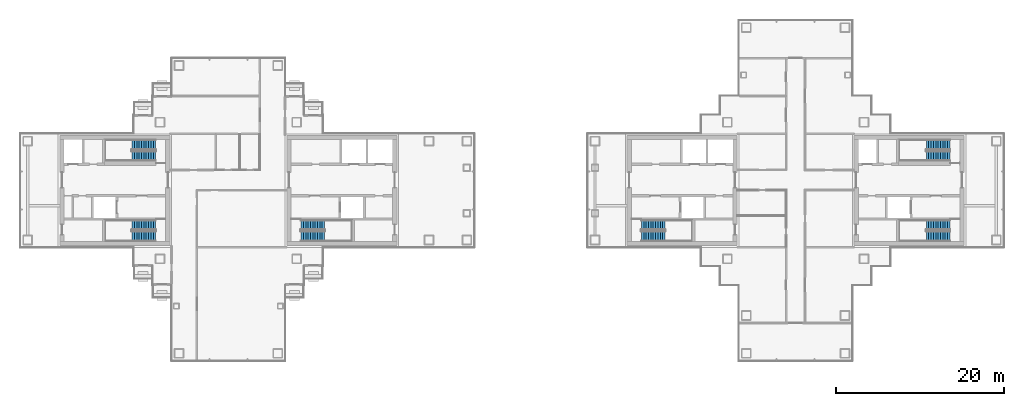
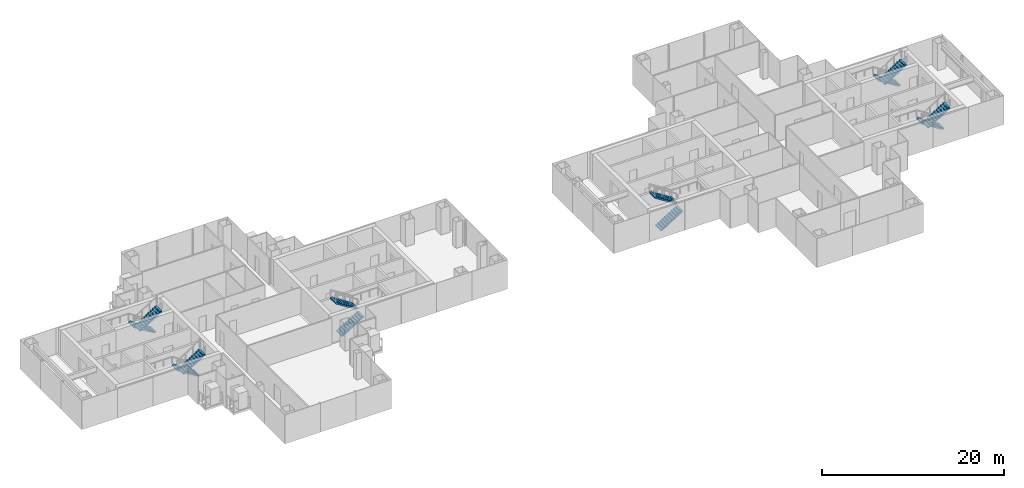
# One storey, part 13 of 16: 12 stair flights, 6 elements without a shape of their own.
"""IFC4 building model written with IfcOpenShell, lengths in metres."""

from ifc_helpers import new_model, si_unit, direction, frame, origin, place, context, subcontext, project, spatial, polyline, outline, extrude, material, type_object, element, aggregate, save


model = new_model("IFC4")

# Units and contexts
model_context = context("Model", 3, precision=1e-05, world=origin(), true_north=direction((0.0, 1.0)))
body_context = subcontext(model_context, "Body", "Model", "MODEL_VIEW")
ifc_project = project(units=[si_unit("LENGTHUNIT", "METRE"), si_unit("AREAUNIT", "SQUARE_METRE"), si_unit("VOLUMEUNIT", "CUBIC_METRE"), si_unit("PLANEANGLEUNIT", "RADIAN"), si_unit("MASSUNIT", "GRAM", prefix="KILO")], contexts=[model_context])

# Site, building, storey
site_placement = place(None, origin())
site = spatial("IfcSite", under=ifc_project, at=site_placement, CompositionType="ELEMENT")
building_placement = place(site_placement, origin())
building = spatial("IfcBuilding", under=site, at=building_placement, Name="Shamsa Quay Exchange Towers", CompositionType="ELEMENT")
storey_placement = place(building_placement, frame((0.0, 0.0, 158.39990234375)))
storey = spatial("IfcBuildingStorey", under=building, at=storey_placement, Name="L37", CompositionType="ELEMENT", Elevation=158.39990234375)

# Stair, stair flights
ifc_material = material(Name="Concrete C40/50", Category="concrete")
stair_type = type_object("IfcStairType", Name="EXIT STAIR 22 RISERS 177 MM", PredefinedType="HALF_TURN_STAIR", material=ifc_material)
stair_1_placement = place(storey_placement, origin())
stair_1 = element("IfcStair", 1, at=stair_1_placement, inside=storey, type_object=stair_type, Name="L37 Exit stair ST1", PredefinedType="HALF_TURN_STAIR")
stair_flight_type = type_object("IfcStairFlightType", Name="EXIT STAIR FLIGHT 11 RISERS 177 MM", PredefinedType="STRAIGHT", material=ifc_material)
stair_flight_1_placement = place(storey_placement, frame((-25.10009765625, -5.449951171875, 0.0)))
stair_flight_1 = element("IfcStairFlight", 2, at=stair_flight_1_placement, type_object=stair_flight_type, Name="ST1 flight 1", NumberOfRisers=11, NumberOfTreads=10, PredefinedType="STRAIGHT", RiserHeight=0.177272727, TreadLength=0.28, context=body_context, shape_type="SweptSolid", body=[
    extrude(outline(polyline([(0.0, 0.0), (0.0, 0.17724609375), (0.280029296875, 0.17724609375), (0.280029296875, 0.3544921875), (0.56005859375, 0.3544921875), (0.56005859375, 0.53173828125), (0.840087890625, 0.53173828125), (0.840087890625, 0.708984375), (1.1201171875, 0.708984375), (1.1201171875, 0.886474609375), (1.39990234375, 0.886474609375), (1.39990234375, 1.063720703125), (1.679931640625, 1.063720703125), (1.679931640625, 1.240966796875), (1.9599609375, 1.240966796875), (1.9599609375, 1.418212890625), (2.239990234375, 1.418212890625), (2.239990234375, 1.595458984375), (2.52001953125, 1.595458984375), (2.52001953125, 1.772705078125), (2.800048828125, 1.772705078125), (2.800048828125, 1.949951171875), (2.800048828125, 1.607177734375), (0.261474609375, 0.0), (0.0, 0.0)])), frame((0.0, 0.60009765625, 0.0), z_axis=(0.0, -1.0, 0.0), x_axis=(1.0, 0.0, 0.0)), (0.0, 0.0, 1.0), 1.199951171875),
])
stair_flight_2_placement = place(storey_placement, frame((-22.300048828125, -4.10009765625, 1.9501953125), z_axis=(0.0, 0.0, 1.0), x_axis=(-1.0, 0.0, 0.0)))
stair_flight_2 = element("IfcStairFlight", 3, at=stair_flight_2_placement, type_object=stair_flight_type, Name="ST1 flight 2", NumberOfRisers=11, NumberOfTreads=10, PredefinedType="STRAIGHT", RiserHeight=0.177272727, TreadLength=0.28, context=body_context, shape_type="SweptSolid", body=[
    extrude(outline(polyline([(0.0, 0.0), (0.0, 0.17724609375), (0.280029296875, 0.17724609375), (0.280029296875, 0.3544921875), (0.56005859375, 0.3544921875), (0.56005859375, 0.53173828125), (0.840087890625, 0.53173828125), (0.840087890625, 0.708984375), (1.1201171875, 0.708984375), (1.1201171875, 0.886474609375), (1.39990234375, 0.886474609375), (1.39990234375, 1.063720703125), (1.679931640625, 1.063720703125), (1.679931640625, 1.240966796875), (1.9599609375, 1.240966796875), (1.9599609375, 1.418212890625), (2.239990234375, 1.418212890625), (2.239990234375, 1.595458984375), (2.52001953125, 1.595458984375), (2.52001953125, 1.772705078125), (2.800048828125, 1.772705078125), (2.800048828125, 1.949951171875), (2.800048828125, 1.607177734375), (0.261474609375, 0.0), (0.0, 0.0)])), frame((0.0, 0.60009765625, 0.0), z_axis=(0.0, -1.0, 0.0), x_axis=(1.0, 0.0, 0.0)), (0.0, 0.0, 1.0), 1.199951171875),
])
aggregate(stair_1, [stair_flight_1, stair_flight_2])

stair_2_placement = place(storey_placement, origin())
stair_2 = element("IfcStair", 4, at=stair_2_placement, inside=storey, type_object=stair_type, Name="L37 Exit stair ST2", PredefinedType="HALF_TURN_STAIR")
stair_flight_3_placement = place(storey_placement, frame((-42.39990234375, -4.10009765625, 0.0), z_axis=(0.0, 0.0, 1.0), x_axis=(-1.0, 0.0, 0.0)))
stair_flight_3 = element("IfcStairFlight", 5, at=stair_flight_3_placement, type_object=stair_flight_type, Name="ST2 flight 1", NumberOfRisers=11, NumberOfTreads=10, PredefinedType="STRAIGHT", RiserHeight=0.177272727, TreadLength=0.28, context=body_context, shape_type="SweptSolid", body=[
    extrude(outline(polyline([(0.0, 0.0), (0.0, 0.17724609375), (0.280029296875, 0.17724609375), (0.280029296875, 0.3544921875), (0.56005859375, 0.3544921875), (0.56005859375, 0.53173828125), (0.840087890625, 0.53173828125), (0.840087890625, 0.708984375), (1.1201171875, 0.708984375), (1.1201171875, 0.886474609375), (1.39990234375, 0.886474609375), (1.39990234375, 1.063720703125), (1.679931640625, 1.063720703125), (1.679931640625, 1.240966796875), (1.9599609375, 1.240966796875), (1.9599609375, 1.418212890625), (2.239990234375, 1.418212890625), (2.239990234375, 1.595458984375), (2.52001953125, 1.595458984375), (2.52001953125, 1.772705078125), (2.800048828125, 1.772705078125), (2.800048828125, 1.949951171875), (2.800048828125, 1.607177734375), (0.261474609375, 0.0), (0.0, 0.0)])), frame((0.0, 0.60009765625, 0.0), z_axis=(0.0, -1.0, 0.0), x_axis=(1.0, 0.0, 0.0)), (0.0, 0.0, 1.0), 1.199951171875),
])
stair_flight_4_placement = place(storey_placement, frame((-45.199951171875, -5.449951171875, 1.9501953125)))
stair_flight_4 = element("IfcStairFlight", 6, at=stair_flight_4_placement, type_object=stair_flight_type, Name="ST2 flight 2", NumberOfRisers=11, NumberOfTreads=10, PredefinedType="STRAIGHT", RiserHeight=0.177272727, TreadLength=0.28, context=body_context, shape_type="SweptSolid", body=[
    extrude(outline(polyline([(0.0, 0.0), (0.0, 0.17724609375), (0.280029296875, 0.17724609375), (0.280029296875, 0.3544921875), (0.56005859375, 0.3544921875), (0.56005859375, 0.53173828125), (0.840087890625, 0.53173828125), (0.840087890625, 0.708984375), (1.1201171875, 0.708984375), (1.1201171875, 0.886474609375), (1.39990234375, 0.886474609375), (1.39990234375, 1.063720703125), (1.679931640625, 1.063720703125), (1.679931640625, 1.240966796875), (1.9599609375, 1.240966796875), (1.9599609375, 1.418212890625), (2.239990234375, 1.418212890625), (2.239990234375, 1.595458984375), (2.52001953125, 1.595458984375), (2.52001953125, 1.772705078125), (2.800048828125, 1.772705078125), (2.800048828125, 1.949951171875), (2.800048828125, 1.607177734375), (0.261474609375, 0.0), (0.0, 0.0)])), frame((0.0, 0.60009765625, 0.0), z_axis=(0.0, -1.0, 0.0), x_axis=(1.0, 0.0, 0.0)), (0.0, 0.0, 1.0), 1.199951171875),
])
aggregate(stair_2, [stair_flight_3, stair_flight_4])

stair_3_placement = place(storey_placement, origin())
stair_3 = element("IfcStair", 7, at=stair_3_placement, inside=storey, type_object=stair_type, Name="L37 Exit stair ST3", PredefinedType="HALF_TURN_STAIR")
stair_flight_5_placement = place(storey_placement, frame((-42.39990234375, 5.449951171875, 0.0), z_axis=(0.0, 0.0, 1.0), x_axis=(-1.0, 0.0, 0.0)))
stair_flight_5 = element("IfcStairFlight", 8, at=stair_flight_5_placement, type_object=stair_flight_type, Name="ST3 flight 1", NumberOfRisers=11, NumberOfTreads=10, PredefinedType="STRAIGHT", RiserHeight=0.177272727, TreadLength=0.28, context=body_context, shape_type="SweptSolid", body=[
    extrude(outline(polyline([(0.0, 0.0), (0.0, 0.17724609375), (0.280029296875, 0.17724609375), (0.280029296875, 0.3544921875), (0.56005859375, 0.3544921875), (0.56005859375, 0.53173828125), (0.840087890625, 0.53173828125), (0.840087890625, 0.708984375), (1.1201171875, 0.708984375), (1.1201171875, 0.886474609375), (1.39990234375, 0.886474609375), (1.39990234375, 1.063720703125), (1.679931640625, 1.063720703125), (1.679931640625, 1.240966796875), (1.9599609375, 1.240966796875), (1.9599609375, 1.418212890625), (2.239990234375, 1.418212890625), (2.239990234375, 1.595458984375), (2.52001953125, 1.595458984375), (2.52001953125, 1.772705078125), (2.800048828125, 1.772705078125), (2.800048828125, 1.949951171875), (2.800048828125, 1.607177734375), (0.261474609375, 0.0), (0.0, 0.0)])), frame((0.0, 0.60009765625, 0.0), z_axis=(0.0, -1.0, 0.0), x_axis=(1.0, 0.0, 0.0)), (0.0, 0.0, 1.0), 1.199951171875),
])
stair_flight_6_placement = place(storey_placement, frame((-45.199951171875, 4.10009765625, 1.9501953125)))
stair_flight_6 = element("IfcStairFlight", 9, at=stair_flight_6_placement, type_object=stair_flight_type, Name="ST3 flight 2", NumberOfRisers=11, NumberOfTreads=10, PredefinedType="STRAIGHT", RiserHeight=0.177272727, TreadLength=0.28, context=body_context, shape_type="SweptSolid", body=[
    extrude(outline(polyline([(0.0, 0.0), (0.0, 0.17724609375), (0.280029296875, 0.17724609375), (0.280029296875, 0.3544921875), (0.56005859375, 0.3544921875), (0.56005859375, 0.53173828125), (0.840087890625, 0.53173828125), (0.840087890625, 0.708984375), (1.1201171875, 0.708984375), (1.1201171875, 0.886474609375), (1.39990234375, 0.886474609375), (1.39990234375, 1.063720703125), (1.679931640625, 1.063720703125), (1.679931640625, 1.240966796875), (1.9599609375, 1.240966796875), (1.9599609375, 1.418212890625), (2.239990234375, 1.418212890625), (2.239990234375, 1.595458984375), (2.52001953125, 1.595458984375), (2.52001953125, 1.772705078125), (2.800048828125, 1.772705078125), (2.800048828125, 1.949951171875), (2.800048828125, 1.607177734375), (0.261474609375, 0.0), (0.0, 0.0)])), frame((0.0, 0.60009765625, 0.0), z_axis=(0.0, -1.0, 0.0), x_axis=(1.0, 0.0, 0.0)), (0.0, 0.0, 1.0), 1.199951171875),
])
aggregate(stair_3, [stair_flight_5, stair_flight_6])

stair_4_placement = place(storey_placement, origin())
stair_4 = element("IfcStair", 10, at=stair_4_placement, inside=storey, type_object=stair_type, Name="L37 Exit stair ST4", PredefinedType="HALF_TURN_STAIR")
stair_flight_7_placement = place(storey_placement, frame((15.39990234375, -5.449951171875, 0.0)))
stair_flight_7 = element("IfcStairFlight", 11, at=stair_flight_7_placement, type_object=stair_flight_type, Name="ST4 flight 1", NumberOfRisers=11, NumberOfTreads=10, PredefinedType="STRAIGHT", RiserHeight=0.177272727, TreadLength=0.28, context=body_context, shape_type="SweptSolid", body=[
    extrude(outline(polyline([(0.0, 0.0), (0.0, 0.17724609375), (0.280029296875, 0.17724609375), (0.280029296875, 0.3544921875), (0.56005859375, 0.3544921875), (0.56005859375, 0.53173828125), (0.840087890625, 0.53173828125), (0.840087890625, 0.708984375), (1.1201171875, 0.708984375), (1.1201171875, 0.886474609375), (1.39990234375, 0.886474609375), (1.39990234375, 1.063720703125), (1.679931640625, 1.063720703125), (1.679931640625, 1.240966796875), (1.9599609375, 1.240966796875), (1.9599609375, 1.418212890625), (2.239990234375, 1.418212890625), (2.239990234375, 1.595458984375), (2.52001953125, 1.595458984375), (2.52001953125, 1.772705078125), (2.800048828125, 1.772705078125), (2.800048828125, 1.949951171875), (2.800048828125, 1.607177734375), (0.261474609375, 0.0), (0.0, 0.0)])), frame((0.0, 0.60009765625, 0.0), z_axis=(0.0, -1.0, 0.0), x_axis=(1.0, 0.0, 0.0)), (0.0, 0.0, 1.0), 1.199951171875),
])
stair_flight_8_placement = place(storey_placement, frame((18.199951171875, -4.10009765625, 1.9501953125), z_axis=(0.0, 0.0, 1.0), x_axis=(-1.0, 0.0, 0.0)))
stair_flight_8 = element("IfcStairFlight", 12, at=stair_flight_8_placement, type_object=stair_flight_type, Name="ST4 flight 2", NumberOfRisers=11, NumberOfTreads=10, PredefinedType="STRAIGHT", RiserHeight=0.177272727, TreadLength=0.28, context=body_context, shape_type="SweptSolid", body=[
    extrude(outline(polyline([(0.0, 0.0), (0.0, 0.17724609375), (0.280029296875, 0.17724609375), (0.280029296875, 0.3544921875), (0.56005859375, 0.3544921875), (0.56005859375, 0.53173828125), (0.840087890625, 0.53173828125), (0.840087890625, 0.708984375), (1.1201171875, 0.708984375), (1.1201171875, 0.886474609375), (1.39990234375, 0.886474609375), (1.39990234375, 1.063720703125), (1.679931640625, 1.063720703125), (1.679931640625, 1.240966796875), (1.9599609375, 1.240966796875), (1.9599609375, 1.418212890625), (2.239990234375, 1.418212890625), (2.239990234375, 1.595458984375), (2.52001953125, 1.595458984375), (2.52001953125, 1.772705078125), (2.800048828125, 1.772705078125), (2.800048828125, 1.949951171875), (2.800048828125, 1.607177734375), (0.261474609375, 0.0), (0.0, 0.0)])), frame((0.0, 0.60009765625, 0.0), z_axis=(0.0, -1.0, 0.0), x_axis=(1.0, 0.0, 0.0)), (0.0, 0.0, 1.0), 1.199951171875),
])
aggregate(stair_4, [stair_flight_7, stair_flight_8])

stair_5_placement = place(storey_placement, origin())
stair_5 = element("IfcStair", 13, at=stair_5_placement, inside=storey, type_object=stair_type, Name="L37 Exit stair ST5", PredefinedType="HALF_TURN_STAIR")
stair_flight_9_placement = place(storey_placement, frame((52.10009765625, -4.10009765625, 0.0), z_axis=(0.0, 0.0, 1.0), x_axis=(-1.0, 0.0, 0.0)))
stair_flight_9 = element("IfcStairFlight", 14, at=stair_flight_9_placement, type_object=stair_flight_type, Name="ST5 flight 1", NumberOfRisers=11, NumberOfTreads=10, PredefinedType="STRAIGHT", RiserHeight=0.177272727, TreadLength=0.28, context=body_context, shape_type="SweptSolid", body=[
    extrude(outline(polyline([(0.0, 0.0), (0.0, 0.17724609375), (0.280029296875, 0.17724609375), (0.280029296875, 0.3544921875), (0.56005859375, 0.3544921875), (0.56005859375, 0.53173828125), (0.840087890625, 0.53173828125), (0.840087890625, 0.708984375), (1.1201171875, 0.708984375), (1.1201171875, 0.886474609375), (1.39990234375, 0.886474609375), (1.39990234375, 1.063720703125), (1.679931640625, 1.063720703125), (1.679931640625, 1.240966796875), (1.9599609375, 1.240966796875), (1.9599609375, 1.418212890625), (2.239990234375, 1.418212890625), (2.239990234375, 1.595458984375), (2.52001953125, 1.595458984375), (2.52001953125, 1.772705078125), (2.800048828125, 1.772705078125), (2.800048828125, 1.949951171875), (2.800048828125, 1.607177734375), (0.261474609375, 0.0), (0.0, 0.0)])), frame((0.0, 0.60009765625, 0.0), z_axis=(0.0, -1.0, 0.0), x_axis=(1.0, 0.0, 0.0)), (0.0, 0.0, 1.0), 1.199951171875),
])
stair_flight_10_placement = place(storey_placement, frame((49.300048828125, -5.449951171875, 1.9501953125)))
stair_flight_10 = element("IfcStairFlight", 15, at=stair_flight_10_placement, type_object=stair_flight_type, Name="ST5 flight 2", NumberOfRisers=11, NumberOfTreads=10, PredefinedType="STRAIGHT", RiserHeight=0.177272727, TreadLength=0.28, context=body_context, shape_type="SweptSolid", body=[
    extrude(outline(polyline([(0.0, 0.0), (0.0, 0.17724609375), (0.280029296875, 0.17724609375), (0.280029296875, 0.3544921875), (0.56005859375, 0.3544921875), (0.56005859375, 0.53173828125), (0.840087890625, 0.53173828125), (0.840087890625, 0.708984375), (1.1201171875, 0.708984375), (1.1201171875, 0.886474609375), (1.39990234375, 0.886474609375), (1.39990234375, 1.063720703125), (1.679931640625, 1.063720703125), (1.679931640625, 1.240966796875), (1.9599609375, 1.240966796875), (1.9599609375, 1.418212890625), (2.239990234375, 1.418212890625), (2.239990234375, 1.595458984375), (2.52001953125, 1.595458984375), (2.52001953125, 1.772705078125), (2.800048828125, 1.772705078125), (2.800048828125, 1.949951171875), (2.800048828125, 1.607177734375), (0.261474609375, 0.0), (0.0, 0.0)])), frame((0.0, 0.60009765625, 0.0), z_axis=(0.0, -1.0, 0.0), x_axis=(1.0, 0.0, 0.0)), (0.0, 0.0, 1.0), 1.199951171875),
])
aggregate(stair_5, [stair_flight_9, stair_flight_10])

stair_6_placement = place(storey_placement, origin())
stair_6 = element("IfcStair", 16, at=stair_6_placement, inside=storey, type_object=stair_type, Name="L37 Exit stair ST6", PredefinedType="HALF_TURN_STAIR")
stair_flight_11_placement = place(storey_placement, frame((52.10009765625, 5.449951171875, 0.0), z_axis=(0.0, 0.0, 1.0), x_axis=(-1.0, 0.0, 0.0)))
stair_flight_11 = element("IfcStairFlight", 17, at=stair_flight_11_placement, type_object=stair_flight_type, Name="ST6 flight 1", NumberOfRisers=11, NumberOfTreads=10, PredefinedType="STRAIGHT", RiserHeight=0.177272727, TreadLength=0.28, context=body_context, shape_type="SweptSolid", body=[
    extrude(outline(polyline([(0.0, 0.0), (0.0, 0.17724609375), (0.280029296875, 0.17724609375), (0.280029296875, 0.3544921875), (0.56005859375, 0.3544921875), (0.56005859375, 0.53173828125), (0.840087890625, 0.53173828125), (0.840087890625, 0.708984375), (1.1201171875, 0.708984375), (1.1201171875, 0.886474609375), (1.39990234375, 0.886474609375), (1.39990234375, 1.063720703125), (1.679931640625, 1.063720703125), (1.679931640625, 1.240966796875), (1.9599609375, 1.240966796875), (1.9599609375, 1.418212890625), (2.239990234375, 1.418212890625), (2.239990234375, 1.595458984375), (2.52001953125, 1.595458984375), (2.52001953125, 1.772705078125), (2.800048828125, 1.772705078125), (2.800048828125, 1.949951171875), (2.800048828125, 1.607177734375), (0.261474609375, 0.0), (0.0, 0.0)])), frame((0.0, 0.60009765625, 0.0), z_axis=(0.0, -1.0, 0.0), x_axis=(1.0, 0.0, 0.0)), (0.0, 0.0, 1.0), 1.199951171875),
])
stair_flight_12_placement = place(storey_placement, frame((49.300048828125, 4.10009765625, 1.9501953125)))
stair_flight_12 = element("IfcStairFlight", 18, at=stair_flight_12_placement, type_object=stair_flight_type, Name="ST6 flight 2", NumberOfRisers=11, NumberOfTreads=10, PredefinedType="STRAIGHT", RiserHeight=0.177272727, TreadLength=0.28, context=body_context, shape_type="SweptSolid", body=[
    extrude(outline(polyline([(0.0, 0.0), (0.0, 0.17724609375), (0.280029296875, 0.17724609375), (0.280029296875, 0.3544921875), (0.56005859375, 0.3544921875), (0.56005859375, 0.53173828125), (0.840087890625, 0.53173828125), (0.840087890625, 0.708984375), (1.1201171875, 0.708984375), (1.1201171875, 0.886474609375), (1.39990234375, 0.886474609375), (1.39990234375, 1.063720703125), (1.679931640625, 1.063720703125), (1.679931640625, 1.240966796875), (1.9599609375, 1.240966796875), (1.9599609375, 1.418212890625), (2.239990234375, 1.418212890625), (2.239990234375, 1.595458984375), (2.52001953125, 1.595458984375), (2.52001953125, 1.772705078125), (2.800048828125, 1.772705078125), (2.800048828125, 1.949951171875), (2.800048828125, 1.607177734375), (0.261474609375, 0.0), (0.0, 0.0)])), frame((0.0, 0.60009765625, 0.0), z_axis=(0.0, -1.0, 0.0), x_axis=(1.0, 0.0, 0.0)), (0.0, 0.0, 1.0), 1.199951171875),
])
aggregate(stair_6, [stair_flight_11, stair_flight_12])

save(model, "model.ifc")
